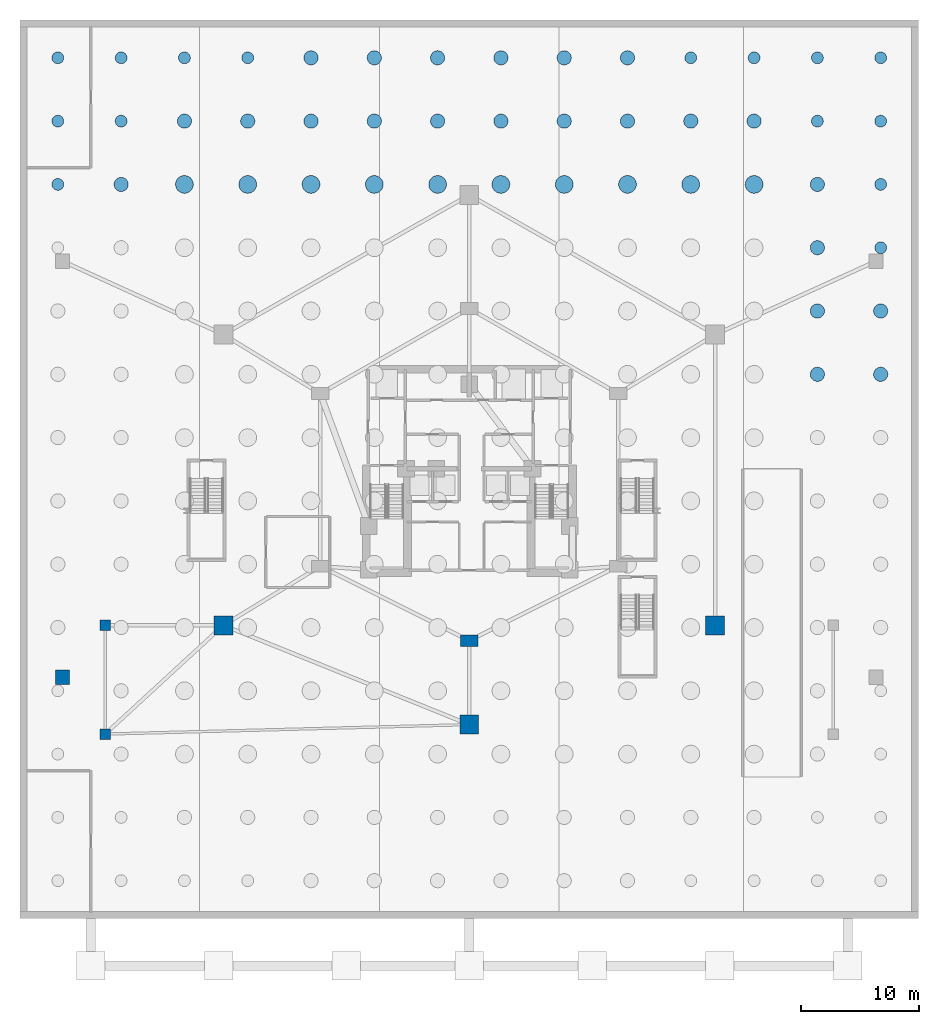
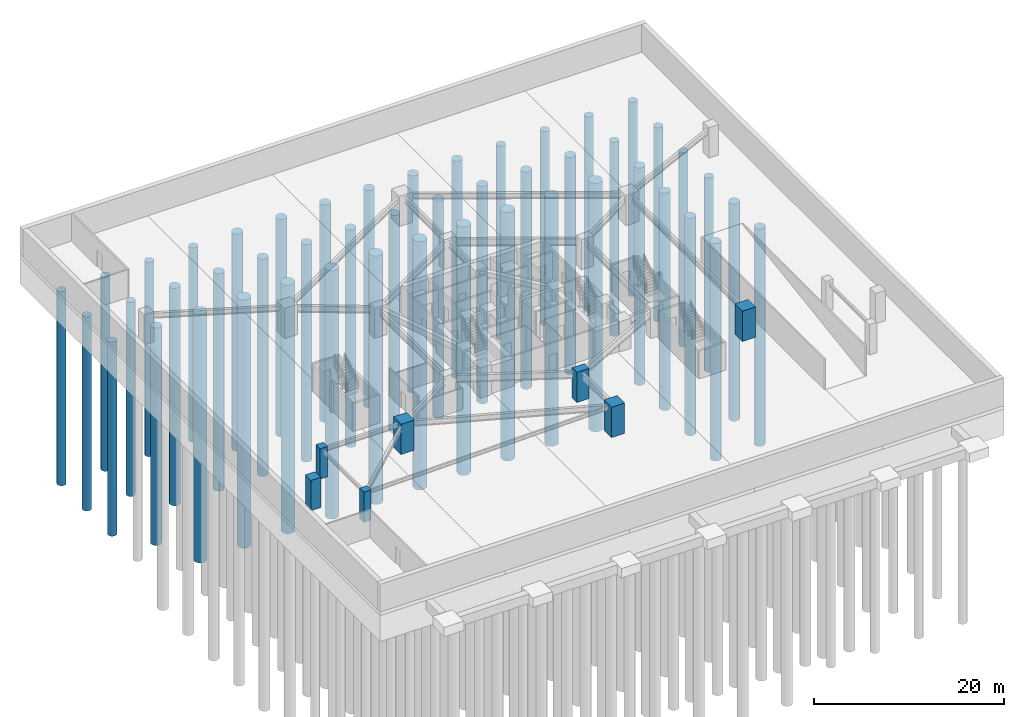
# One storey, part 2 of 14: 48 piles, 7 columns.
"""IFC4 building model written with IfcOpenShell, lengths in metres."""

from ifc_helpers import new_model, si_unit, direction, frame, origin, origin_2d, place, context, subcontext, project, spatial, rectangle, circle, extrude, material, material_profile, profile_set, type_object, element, save


model = new_model("IFC4")

# Units and contexts
model_context = context("Model", 3, precision=1e-05, world=origin(), true_north=direction((0.0, 1.0)))
body_context = subcontext(model_context, "Body", "Model", "MODEL_VIEW")
ifc_project = project(units=[si_unit("LENGTHUNIT", "METRE"), si_unit("AREAUNIT", "SQUARE_METRE"), si_unit("VOLUMEUNIT", "CUBIC_METRE"), si_unit("PLANEANGLEUNIT", "RADIAN"), si_unit("MASSUNIT", "GRAM", prefix="KILO")], contexts=[model_context])

# Site, building, storey
site_placement = place(None, origin())
site = spatial("IfcSite", under=ifc_project, at=site_placement, CompositionType="ELEMENT")
building_placement = place(site_placement, origin())
building = spatial("IfcBuilding", under=site, at=building_placement, Name="Miruveldt Soraemaru", CompositionType="ELEMENT")
storey_placement = place(building_placement, frame((0.0, 0.0, -15.60009765625)))
storey = spatial("IfcBuildingStorey", under=building, at=storey_placement, Name="B4", CompositionType="ELEMENT", Elevation=-15.60009765625)

# Piles
ifc_material_1 = material(Name="Concrete C50/60 (50 MPa)", Category="concrete")
ifc_material_profile_1 = material_profile(ifc_material_1, circle(Radius=0.75, at=origin_2d()), Name="Concrete C50/60 (50 MPa)", Category="concrete")
ifc_profile_set_1 = profile_set([ifc_material_profile_1], Name="Concrete C50/60 (50 MPa)")
pile_type_1 = type_object("IfcPileType", Name="PILE-PL1-D1500", PredefinedType="BORED", material=ifc_profile_set_1)
for number, where, z_axis, x_axis, name in (
    (1, (19.907958984375, 68.092041015625, -3.64990234375), (0.0, 0.0, -1.0), (1.0, 0.0, 0.0), "Rock-Socketed Bored Pile PILE-12-03 (PL-1)"),
    (2, (25.261962890625, 68.092041015625, -3.64990234375), (0.0, 0.0, -1.0), (1.0, 0.0, 0.0), "Rock-Socketed Bored Pile PILE-12-04 (PL-1)"),
    (3, (30.614990234375, 68.092041015625, -3.64990234375), (0.0, 0.0, -1.0), (1.0, 0.0, 0.0), "Rock-Socketed Bored Pile PILE-12-05 (PL-1)"),
    (4, (35.968994140625, 68.092041015625, -3.64990234375), (0.0, 0.0, -1.0), (1.0, 0.0, 0.0), "Rock-Socketed Bored Pile PILE-12-06 (PL-1)"),
    (5, (41.322998046875, 68.092041015625, -3.64990234375), (0.0, 0.0, -1.0), (1.0, 0.0, 0.0), "Rock-Socketed Bored Pile PILE-12-07 (PL-1)"),
    (6, (46.677001953125, 68.092041015625, -3.64990234375), (0.0, 0.0, -1.0), (1.0, 0.0, 0.0), "Rock-Socketed Bored Pile PILE-12-08 (PL-1)"),
    (7, (52.031005859375, 68.092041015625, -3.64990234375), (0.0, 0.0, -1.0), (1.0, 0.0, 0.0), "Rock-Socketed Bored Pile PILE-12-09 (PL-1)"),
    (8, (57.385009765625, 68.092041015625, -3.64990234375), (0.0, 0.0, -1.0), (1.0, 0.0, 0.0), "Rock-Socketed Bored Pile PILE-12-10 (PL-1)"),
    (9, (62.738037109375, 68.092041015625, -3.64990234375), (0.0, 0.0, -1.0), (1.0, 0.0, 0.0), "Rock-Socketed Bored Pile PILE-12-11 (PL-1)"),
    (10, (68.092041015625, 68.092041015625, -3.64990234375), (0.0, 0.0, -1.0), (1.0, 0.0, 0.0), "Rock-Socketed Bored Pile PILE-12-12 (PL-1)"),
):
    element("IfcPile", number, at=place(storey_placement, frame(where, z_axis=z_axis, x_axis=x_axis)), inside=storey, type_object=pile_type_1, Name=name, PredefinedType="BORED", context=body_context, shape_type="SweptSolid", body=[
        extrude(circle(Radius=0.75, at=origin_2d()), origin(), (0.0, 0.0, 1.0), 32.0),
    ])
ifc_material_profile_2 = material_profile(ifc_material_1, circle(Radius=0.60009765625, at=origin_2d()), Name="Concrete C50/60 (50 MPa)", Category="concrete")
ifc_profile_set_2 = profile_set([ifc_material_profile_2], Name="Concrete C50/60 (50 MPa)")
pile_type_2 = type_object("IfcPileType", Name="PILE-PL2-D1200", PredefinedType="BORED", material=ifc_profile_set_2)
for number, where, z_axis, x_axis, name in (
    (11, (73.446044921875, 52.031005859375, -3.64990234375), (0.0, 0.0, -1.0), (1.0, 0.0, 0.0), "Rock-Socketed Bored Pile PILE-09-13 (PL-2)"),
    (12, (78.800048828125, 52.031005859375, -3.64990234375), (0.0, 0.0, -1.0), (1.0, 0.0, 0.0), "Rock-Socketed Bored Pile PILE-09-14 (PL-2)"),
    (13, (73.446044921875, 57.385009765625, -3.64990234375), (0.0, 0.0, -1.0), (1.0, 0.0, 0.0), "Rock-Socketed Bored Pile PILE-10-13 (PL-2)"),
    (14, (78.800048828125, 57.385009765625, -3.64990234375), (0.0, 0.0, -1.0), (1.0, 0.0, 0.0), "Rock-Socketed Bored Pile PILE-10-14 (PL-2)"),
    (15, (73.446044921875, 62.738037109375, -3.64990234375), (0.0, 0.0, -1.0), (1.0, 0.0, 0.0), "Rock-Socketed Bored Pile PILE-11-13 (PL-2)"),
    (16, (14.553955078125, 68.092041015625, -3.64990234375), (0.0, 0.0, -1.0), (1.0, 0.0, 0.0), "Rock-Socketed Bored Pile PILE-12-02 (PL-2)"),
    (17, (73.446044921875, 68.092041015625, -3.64990234375), (0.0, 0.0, -1.0), (1.0, 0.0, 0.0), "Rock-Socketed Bored Pile PILE-12-13 (PL-2)"),
    (18, (19.907958984375, 73.446044921875, -3.64990234375), (0.0, 0.0, -1.0), (1.0, 0.0, 0.0), "Rock-Socketed Bored Pile PILE-13-03 (PL-2)"),
    (19, (25.261962890625, 73.446044921875, -3.64990234375), (0.0, 0.0, -1.0), (1.0, 0.0, 0.0), "Rock-Socketed Bored Pile PILE-13-04 (PL-2)"),
    (20, (30.614990234375, 73.446044921875, -3.64990234375), (0.0, 0.0, -1.0), (1.0, 0.0, 0.0), "Rock-Socketed Bored Pile PILE-13-05 (PL-2)"),
    (21, (35.968994140625, 73.446044921875, -3.64990234375), (0.0, 0.0, -1.0), (1.0, 0.0, 0.0), "Rock-Socketed Bored Pile PILE-13-06 (PL-2)"),
    (22, (41.322998046875, 73.446044921875, -3.64990234375), (0.0, 0.0, -1.0), (1.0, 0.0, 0.0), "Rock-Socketed Bored Pile PILE-13-07 (PL-2)"),
    (23, (46.677001953125, 73.446044921875, -3.64990234375), (0.0, 0.0, -1.0), (1.0, 0.0, 0.0), "Rock-Socketed Bored Pile PILE-13-08 (PL-2)"),
    (24, (52.031005859375, 73.446044921875, -3.64990234375), (0.0, 0.0, -1.0), (1.0, 0.0, 0.0), "Rock-Socketed Bored Pile PILE-13-09 (PL-2)"),
    (25, (57.385009765625, 73.446044921875, -3.64990234375), (0.0, 0.0, -1.0), (1.0, 0.0, 0.0), "Rock-Socketed Bored Pile PILE-13-10 (PL-2)"),
    (26, (62.738037109375, 73.446044921875, -3.64990234375), (0.0, 0.0, -1.0), (1.0, 0.0, 0.0), "Rock-Socketed Bored Pile PILE-13-11 (PL-2)"),
    (27, (68.092041015625, 73.446044921875, -3.64990234375), (0.0, 0.0, -1.0), (1.0, 0.0, 0.0), "Rock-Socketed Bored Pile PILE-13-12 (PL-2)"),
    (28, (30.614990234375, 78.800048828125, -3.64990234375), (0.0, 0.0, -1.0), (1.0, 0.0, 0.0), "Rock-Socketed Bored Pile PILE-14-05 (PL-2)"),
    (29, (35.968994140625, 78.800048828125, -3.64990234375), (0.0, 0.0, -1.0), (1.0, 0.0, 0.0), "Rock-Socketed Bored Pile PILE-14-06 (PL-2)"),
    (30, (41.322998046875, 78.800048828125, -3.64990234375), (0.0, 0.0, -1.0), (1.0, 0.0, 0.0), "Rock-Socketed Bored Pile PILE-14-07 (PL-2)"),
    (31, (46.677001953125, 78.800048828125, -3.64990234375), (0.0, 0.0, -1.0), (1.0, 0.0, 0.0), "Rock-Socketed Bored Pile PILE-14-08 (PL-2)"),
    (32, (52.031005859375, 78.800048828125, -3.64990234375), (0.0, 0.0, -1.0), (1.0, 0.0, 0.0), "Rock-Socketed Bored Pile PILE-14-09 (PL-2)"),
    (33, (57.385009765625, 78.800048828125, -3.64990234375), (0.0, 0.0, -1.0), (1.0, 0.0, 0.0), "Rock-Socketed Bored Pile PILE-14-10 (PL-2)"),
):
    element("IfcPile", number, at=place(storey_placement, frame(where, z_axis=z_axis, x_axis=x_axis)), inside=storey, type_object=pile_type_2, Name=name, PredefinedType="BORED", context=body_context, shape_type="SweptSolid", body=[
        extrude(circle(Radius=0.60009765625, at=origin_2d()), origin(), (0.0, 0.0, 1.0), 28.0),
    ])
ifc_material_profile_3 = material_profile(ifc_material_1, circle(Radius=0.5, at=origin_2d()), Name="Concrete C50/60 (50 MPa)", Category="concrete")
ifc_profile_set_3 = profile_set([ifc_material_profile_3], Name="Concrete C50/60 (50 MPa)")
pile_type_3 = type_object("IfcPileType", Name="PILE-PL3-D1000", PredefinedType="BORED", material=ifc_profile_set_3)
for number, where, z_axis, x_axis, name in (
    (34, (78.800048828125, 62.738037109375, -3.64990234375), (0.0, 0.0, -1.0), (1.0, 0.0, 0.0), "Rock-Socketed Bored Pile PILE-11-14 (PL-3)"),
    (35, (9.199951171875, 68.092041015625, -3.64990234375), (0.0, 0.0, -1.0), (1.0, 0.0, 0.0), "Rock-Socketed Bored Pile PILE-12-01 (PL-3)"),
    (36, (78.800048828125, 68.092041015625, -3.64990234375), (0.0, 0.0, -1.0), (1.0, 0.0, 0.0), "Rock-Socketed Bored Pile PILE-12-14 (PL-3)"),
    (37, (9.199951171875, 73.446044921875, -3.64990234375), (0.0, 0.0, -1.0), (1.0, 0.0, 0.0), "Rock-Socketed Bored Pile PILE-13-01 (PL-3)"),
    (38, (14.553955078125, 73.446044921875, -3.64990234375), (0.0, 0.0, -1.0), (1.0, 0.0, 0.0), "Rock-Socketed Bored Pile PILE-13-02 (PL-3)"),
    (39, (73.446044921875, 73.446044921875, -3.64990234375), (0.0, 0.0, -1.0), (1.0, 0.0, 0.0), "Rock-Socketed Bored Pile PILE-13-13 (PL-3)"),
    (40, (78.800048828125, 73.446044921875, -3.64990234375), (0.0, 0.0, -1.0), (1.0, 0.0, 0.0), "Rock-Socketed Bored Pile PILE-13-14 (PL-3)"),
    (41, (9.199951171875, 78.800048828125, -3.64990234375), (0.0, 0.0, -1.0), (1.0, 0.0, 0.0), "Rock-Socketed Bored Pile PILE-14-01 (PL-3)"),
    (42, (14.553955078125, 78.800048828125, -3.64990234375), (0.0, 0.0, -1.0), (1.0, 0.0, 0.0), "Rock-Socketed Bored Pile PILE-14-02 (PL-3)"),
    (43, (19.907958984375, 78.800048828125, -3.64990234375), (0.0, 0.0, -1.0), (1.0, 0.0, 0.0), "Rock-Socketed Bored Pile PILE-14-03 (PL-3)"),
    (44, (25.261962890625, 78.800048828125, -3.64990234375), (0.0, 0.0, -1.0), (1.0, 0.0, 0.0), "Rock-Socketed Bored Pile PILE-14-04 (PL-3)"),
    (45, (62.738037109375, 78.800048828125, -3.64990234375), (0.0, 0.0, -1.0), (1.0, 0.0, 0.0), "Rock-Socketed Bored Pile PILE-14-11 (PL-3)"),
    (46, (68.092041015625, 78.800048828125, -3.64990234375), (0.0, 0.0, -1.0), (1.0, 0.0, 0.0), "Rock-Socketed Bored Pile PILE-14-12 (PL-3)"),
    (47, (73.446044921875, 78.800048828125, -3.64990234375), (0.0, 0.0, -1.0), (1.0, 0.0, 0.0), "Rock-Socketed Bored Pile PILE-14-13 (PL-3)"),
    (48, (78.800048828125, 78.800048828125, -3.64990234375), (0.0, 0.0, -1.0), (1.0, 0.0, 0.0), "Rock-Socketed Bored Pile PILE-14-14 (PL-3)"),
):
    element("IfcPile", number, at=place(storey_placement, frame(where, z_axis=z_axis, x_axis=x_axis)), inside=storey, type_object=pile_type_3, Name=name, PredefinedType="BORED", context=body_context, shape_type="SweptSolid", body=[
        extrude(circle(Radius=0.5, at=origin_2d()), origin(), (0.0, 0.0, 1.0), 25.0),
    ])

# Columns
ifc_material_2 = material(Name="Concrete C70/85 (70 MPa)", Category="concrete")
ifc_material_profile_4 = material_profile(ifc_material_2, rectangle(XDim=1.199951171875, YDim=1.199951171875, at=origin_2d()), Name="Concrete C70/85 (70 MPa)", Category="concrete")
ifc_profile_set_4 = profile_set([ifc_material_profile_4], Name="Concrete C70/85 (70 MPa)")
column_type_1 = type_object("IfcColumnType", Name="COL-CORE-1200", PredefinedType="COLUMN", material=ifc_profile_set_4)
column_1_placement = place(storey_placement, frame((9.60009765625, 26.39990234375, 0.0), z_axis=(0.0, 0.0, 1.0), x_axis=(1.0, 0.0, 0.0)))
element("IfcColumn", 49, at=column_1_placement, inside=storey, type_object=column_type_1, Name="B4 Structural Column BC1", PredefinedType="COLUMN", context=body_context, shape_type="SweptSolid", body=[
    extrude(rectangle(XDim=1.199951171875, YDim=1.199951171875, at=origin_2d()), origin(), (0.0, 0.0, 1.0), 3.900146484375),
])
ifc_material_profile_5 = material_profile(ifc_material_1, rectangle(XDim=0.89990234375, YDim=0.89990234375, at=origin_2d()), Name="Concrete C50/60 (50 MPa)", Category="concrete")
ifc_profile_set_5 = profile_set([ifc_material_profile_5], Name="Concrete C50/60 (50 MPa)")
column_type_2 = type_object("IfcColumnType", Name="COL-CORE-900", PredefinedType="COLUMN", material=ifc_profile_set_5)
for number, where, z_axis, x_axis, name in (
    (50, (13.199951171875, 21.60009765625, 0.0), (0.0, 0.0, 1.0), (1.0, 0.0, 0.0), "B4 Structural Column PF01"),
    (51, (13.199951171875, 30.800048828125, 0.0), (0.0, 0.0, 1.0), (1.0, 0.0, 0.0), "B4 Structural Column PF02"),
):
    element("IfcColumn", number, at=place(storey_placement, frame(where, z_axis=z_axis, x_axis=x_axis)), inside=storey, type_object=column_type_2, Name=name, PredefinedType="COLUMN", context=body_context, shape_type="SweptSolid", body=[
        extrude(rectangle(XDim=0.89990234375, YDim=0.89990234375, at=origin_2d()), origin(), (0.0, 0.0, 1.0), 3.900146484375),
    ])
ifc_material_3 = material(Name="Concrete C80/95 (80 MPa)", Category="concrete")
ifc_material_profile_6 = material_profile(ifc_material_3, rectangle(XDim=1.60009765625, YDim=1.60009765625, at=origin_2d()), Name="Concrete C80/95 (80 MPa)", Category="concrete")
ifc_profile_set_6 = profile_set([ifc_material_profile_6], Name="Concrete C80/95 (80 MPa)")
column_type_3 = type_object("IfcColumnType", Name="COL-MEGA-1600", PredefinedType="COLUMN", material=ifc_profile_set_6)
for number, where, z_axis, x_axis, name in (
    (52, (64.800048828125, 30.800048828125, 0.0), (0.0, 0.0, 1.0), (1.0, 0.0, 0.0), "B4 Structural Column PM03"),
    (53, (44.0, 22.39990234375, 0.0), (0.0, 0.0, 1.0), (1.0, 0.0, 0.0), "B4 Structural Column PM04"),
    (54, (23.199951171875, 30.800048828125, 0.0), (0.0, 0.0, 1.0), (1.0, 0.0, 0.0), "B4 Structural Column PM05"),
):
    element("IfcColumn", number, at=place(storey_placement, frame(where, z_axis=z_axis, x_axis=x_axis)), inside=storey, type_object=column_type_3, Name=name, PredefinedType="COLUMN", context=body_context, shape_type="SweptSolid", body=[
        extrude(rectangle(XDim=1.60009765625, YDim=1.60009765625, at=origin_2d()), origin(), (0.0, 0.0, 1.0), 3.900146484375),
    ])
ifc_material_profile_7 = material_profile(ifc_material_3, rectangle(XDim=1.5, YDim=1.0, at=origin_2d()), Name="Concrete C80/95 (80 MPa)", Category="concrete")
ifc_profile_set_7 = profile_set([ifc_material_profile_7], Name="Concrete C80/95 (80 MPa)")
column_type_4 = type_object("IfcColumnType", Name="COL-TW-Z1A", PredefinedType="COLUMN", material=ifc_profile_set_7)
column_2_placement = place(storey_placement, frame((44.0, 29.5, 0.0), z_axis=(0.0, 0.0, 1.0), x_axis=(1.0, 0.0, 0.0)))
element("IfcColumn", 55, at=column_2_placement, inside=storey, type_object=column_type_4, Name="B4 Structural Column IR04", PredefinedType="COLUMN", context=body_context, shape_type="SweptSolid", body=[
    extrude(rectangle(XDim=1.5, YDim=1.0, at=origin_2d()), origin(), (0.0, 0.0, 1.0), 3.900146484375),
])

save(model, "model.ifc")
